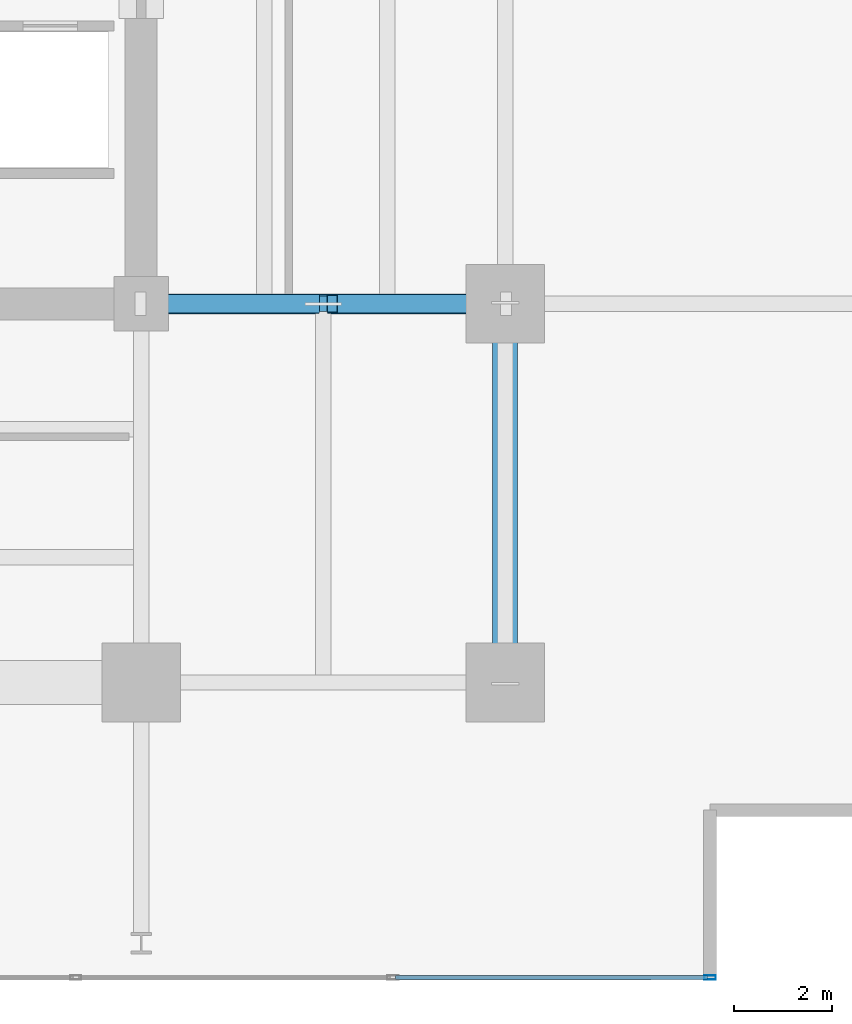
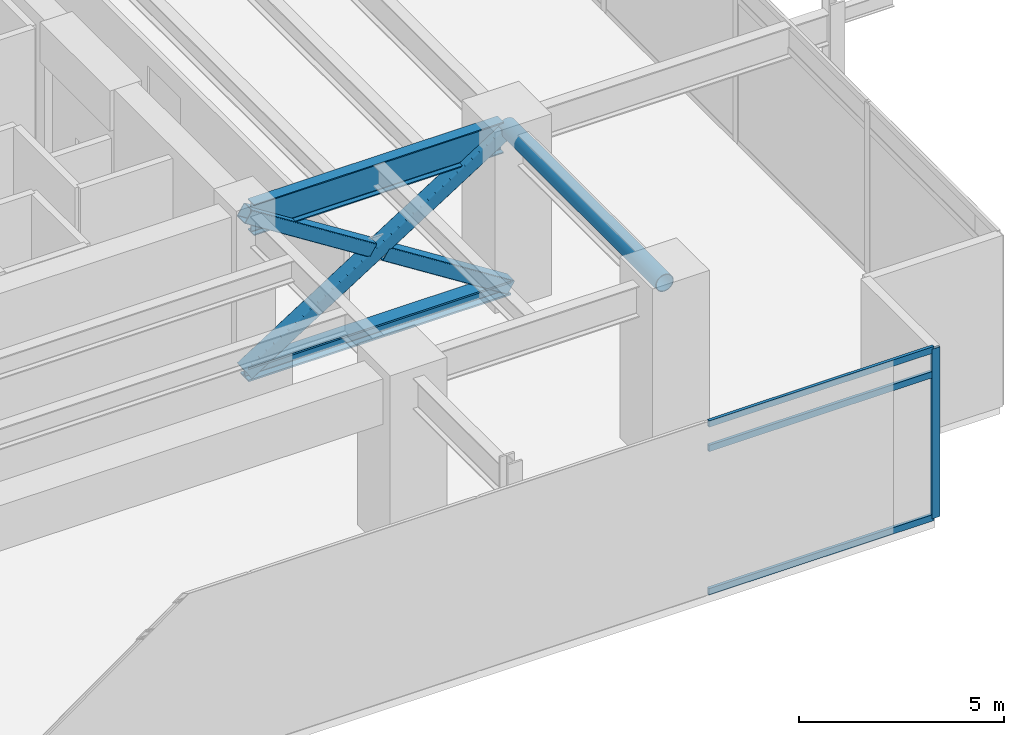
# One storey, part 10 of 26: 9 members, 1 beam, 1 element without a shape of its own.
"""IFC4 building model written with IfcOpenShell, lengths in metres."""

from ifc_helpers import new_model, si_unit, direction, frame, origin, origin_2d, place, context, subcontext, project, spatial, hollow_rectangle, hollow_circle, i_section, extrude, material, material_profile, profile_set, type_object, element, aggregate, save


model = new_model("IFC4")

# Units and contexts
model_context = context("Model", 3, precision=1e-05, world=origin(), true_north=direction((0.0, 1.0)))
body_context = subcontext(model_context, "Body", "Model", "MODEL_VIEW")
ifc_project = project(units=[si_unit("LENGTHUNIT", "METRE"), si_unit("AREAUNIT", "SQUARE_METRE"), si_unit("VOLUMEUNIT", "CUBIC_METRE"), si_unit("PLANEANGLEUNIT", "RADIAN"), si_unit("MASSUNIT", "GRAM", prefix="KILO")], contexts=[model_context])

# Site, building, storey
site_placement = place(None, origin())
site = spatial("IfcSite", under=ifc_project, at=site_placement, CompositionType="ELEMENT")
building_placement = place(site_placement, origin())
building = spatial("IfcBuilding", under=site, at=building_placement, Name="Kovane Verandah Tower", CompositionType="ELEMENT")
storey_placement = place(building_placement, frame((0.0, 0.0, 113.0)))
storey = spatial("IfcBuildingStorey", under=building, at=storey_placement, Name="L26", CompositionType="ELEMENT", Elevation=113.0)

# Beam
ifc_material_1 = material(Name="Steel S460", Category="steel")
ifc_material_profile_1 = material_profile(ifc_material_1, i_section(OverallWidth=0.3076171875, OverallDepth=0.926513671875, WebThickness=0.01953125, FlangeThickness=0.031982421875, FilletRadius=0.01904296875, at=origin_2d()), Name="UB914x305x289")
ifc_profile_set_1 = profile_set([ifc_material_profile_1], Name="Steel S460")
beam_type = type_object("IfcBeamType", Name="BM-UB914x289", PredefinedType="BEAM", material=ifc_profile_set_1)
beam_placement = place(storey_placement, frame((51.179931640625, 18.5, 4.63671875), z_axis=(1.0, 0.0, 0.0), x_axis=(0.0, 1.0, 0.0)))
element("IfcBeam", 1, at=beam_placement, inside=storey, type_object=beam_type, Name="L26 Primary Tower Girder G-E1", PredefinedType="BEAM", context=body_context, shape_type="SweptSolid", body=[
    extrude(i_section(OverallWidth=0.3076171875, OverallDepth=0.926513671875, WebThickness=0.01953125, FlangeThickness=0.031982421875, FilletRadius=0.01904296875, at=origin_2d()), origin(), (0.0, 0.0, 1.0), 7.0400390625),
])

# Curtain wall, members
ifc_material_2 = material(Name="Champagne Anodised Aluminium Frame with Low-E Clear Laminated Glass", Category="aluminium")
curtain_wall_type = type_object("IfcCurtainWallType", Name="CW-SYS-02-LOW", PredefinedType="NOTDEFINED", material=ifc_material_2)
curtain_wall_placement = place(storey_placement, origin())
curtain_wall = element("IfcCurtainWall", 2, at=curtain_wall_placement, inside=storey, type_object=curtain_wall_type, Name="L26 S Unitised Curtain Wall", PredefinedType="NOTDEFINED")
ifc_material_3 = material(Name="Champagne Anodised Aluminium 6063-T6", Category="aluminium")
ifc_material_profile_2 = material_profile(ifc_material_3, hollow_rectangle(XDim=0.0849609375, YDim=0.22998046875, WallThickness=0.00390625, at=origin_2d()), Name="AL85x230x4")
ifc_profile_set_2 = profile_set([ifc_material_profile_2], Name="Champagne Anodised Aluminium 6063-T6")
member_type_1 = type_object("IfcMemberType", Name="CW-MUL-85x230", PredefinedType="MULLION", material=ifc_profile_set_2)
member_1_placement = place(storey_placement, frame((62.564208984375, 4.80517578125, 0.02001953125), z_axis=(0.0, 0.0, 1.0), x_axis=(0.0, -1.0, 0.0)))
member_1 = element("IfcMember", 3, at=member_1_placement, type_object=member_type_1, Name="L26 S Unitised Curtain Wall Mullion 8", PredefinedType="MULLION", context=body_context, shape_type="SweptSolid", body=[
    extrude(hollow_rectangle(XDim=0.0849609375, YDim=0.22998046875, WallThickness=0.00390625, at=origin_2d()), origin(), (0.0, 0.0, 1.0), 5.06005859375),
])
ifc_material_profile_3 = material_profile(ifc_material_3, hollow_rectangle(XDim=0.0849609375, YDim=0.18994140625, WallThickness=0.00390625, at=origin_2d()), Name="AL85x190x4")
ifc_profile_set_3 = profile_set([ifc_material_profile_3], Name="Champagne Anodised Aluminium 6063-T6")
member_type_2 = type_object("IfcMemberType", Name="CW-TRN-85x190", PredefinedType="USERDEFINED", material=ifc_profile_set_3)
member_2_placement = place(storey_placement, frame((56.167236328125, 4.80517578125, 0.050048828125), z_axis=(1.0, 0.0, 0.0), x_axis=(0.0, 1.0, 0.0)))
member_2 = element("IfcMember", 4, at=member_2_placement, type_object=member_type_2, Name="L26 S Unitised Curtain Wall Transom TB Bay 7", ObjectType="TRANSOM", PredefinedType="USERDEFINED", context=body_context, shape_type="SweptSolid", body=[
    extrude(hollow_rectangle(XDim=0.0849609375, YDim=0.18994140625, WallThickness=0.00390625, at=origin_2d()), origin(), (0.0, 0.0, 1.0), 6.346923828125),
])
member_3_placement = place(storey_placement, frame((56.167236328125, 4.80517578125, 4.320068359375), z_axis=(1.0, 0.0, 0.0), x_axis=(0.0, 1.0, 0.0)))
member_3 = element("IfcMember", 5, at=member_3_placement, type_object=member_type_2, Name="L26 S Unitised Curtain Wall Transom TM Bay 7", ObjectType="TRANSOM", PredefinedType="USERDEFINED", context=body_context, shape_type="SweptSolid", body=[
    extrude(hollow_rectangle(XDim=0.0849609375, YDim=0.18994140625, WallThickness=0.00390625, at=origin_2d()), origin(), (0.0, 0.0, 1.0), 6.346923828125),
])
member_4_placement = place(storey_placement, frame((56.167236328125, 4.80517578125, 5.050048828125), z_axis=(1.0, 0.0, 0.0), x_axis=(0.0, 1.0, 0.0)))
member_4 = element("IfcMember", 6, at=member_4_placement, type_object=member_type_2, Name="L26 S Unitised Curtain Wall Transom TT Bay 7", ObjectType="TRANSOM", PredefinedType="USERDEFINED", context=body_context, shape_type="SweptSolid", body=[
    extrude(hollow_rectangle(XDim=0.0849609375, YDim=0.18994140625, WallThickness=0.00390625, at=origin_2d()), origin(), (0.0, 0.0, 1.0), 6.346923828125),
])
aggregate(curtain_wall, [member_1, member_2, member_3, member_4])

# Members
ifc_material_profile_4 = material_profile(ifc_material_1, hollow_circle(Radius=0.25390625, WallThickness=0.02001953125, at=origin_2d()), Name="CHS508x20")
ifc_profile_set_4 = profile_set([ifc_material_profile_4], Name="Steel S460")
member_type_3 = type_object("IfcMemberType", Name="MEM-BR-CHS508", PredefinedType="BRACE", material=ifc_profile_set_4)
member_5_placement = place(storey_placement, frame((58.39990234375, 10.800048828125, 4.820068359375), z_axis=(0.0, 1.0, 0.0), x_axis=(-1.0, 0.0, 0.0)))
element("IfcMember", 7, at=member_5_placement, inside=storey, type_object=member_type_3, Name="L26 Belt-Truss Ring Chord BE1", PredefinedType="BRACE", context=body_context, shape_type="SweptSolid", body=[
    extrude(hollow_circle(Radius=0.25390625, WallThickness=0.02001953125, at=origin_2d()), origin(), (0.0, 0.0, 1.0), 7.699951171875),
])
ifc_material_profile_5 = material_profile(ifc_material_1, hollow_rectangle(XDim=0.39990234375, YDim=0.39990234375, WallThickness=0.02001953125, InnerFilletRadius=0.02001953125, OuterFilletRadius=0.0400390625, at=origin_2d()), Name="SHS400x400x20")
ifc_profile_set_5 = profile_set([ifc_material_profile_5], Name="Steel S460")
member_type_4 = type_object("IfcMemberType", Name="MEM-BR-SHS400", PredefinedType="BRACE", material=ifc_profile_set_5)
member_6_placement = place(storey_placement, frame((51.0, 18.5, 0.1201171875), z_axis=(0.844130190712, 0.0, 0.536138248149), x_axis=(0.0, 1.0, 0.0)))
element("IfcMember", 8, at=member_6_placement, inside=storey, type_object=member_type_4, Name="L26 Outrigger Continuous Diagonal OE1", PredefinedType="BRACE", context=body_context, shape_type="SweptSolid", body=[
    extrude(hollow_rectangle(XDim=0.39990234375, YDim=0.39990234375, WallThickness=0.02001953125, InnerFilletRadius=0.02001953125, OuterFilletRadius=0.0400390625, at=origin_2d()), origin(), (0.0, 0.0, 1.0), 8.766357421875),
])
member_7_placement = place(storey_placement, frame((58.39990234375, 18.5, 0.1201171875), z_axis=(-0.844134458602, 0.0, 0.536131528452), x_axis=(0.0, -1.0, 0.0)))
element("IfcMember", 9, at=member_7_placement, inside=storey, type_object=member_type_4, Name="L26 Outrigger Split Diagonal Lower OE1", PredefinedType="BRACE", context=body_context, shape_type="SweptSolid", body=[
    extrude(hollow_rectangle(XDim=0.39990234375, YDim=0.39990234375, WallThickness=0.02001953125, InnerFilletRadius=0.02001953125, OuterFilletRadius=0.0400390625, at=origin_2d()), origin(), (0.0, 0.0, 1.0), 4.1630859375),
])
member_8_placement = place(storey_placement, frame((54.514404296875, 18.5, 2.587890625), z_axis=(-0.844124775214, 0.0, 0.536146774559), x_axis=(0.0, -1.0, 0.0)))
element("IfcMember", 10, at=member_8_placement, inside=storey, type_object=member_type_4, Name="L26 Outrigger Split Diagonal Upper OE1", PredefinedType="BRACE", context=body_context, shape_type="SweptSolid", body=[
    extrude(hollow_rectangle(XDim=0.39990234375, YDim=0.39990234375, WallThickness=0.02001953125, InnerFilletRadius=0.02001953125, OuterFilletRadius=0.0400390625, at=origin_2d()), origin(), (0.0, 0.0, 1.0), 4.163330078125),
])
ifc_material_profile_6 = material_profile(ifc_material_1, i_section(OverallWidth=0.406982421875, OverallDepth=0.4189453125, WebThickness=0.030517578125, FlangeThickness=0.04931640625, FilletRadius=0.01513671875, at=origin_2d()), Name="UC356x406x393")
ifc_profile_set_6 = profile_set([ifc_material_profile_6], Name="Steel S460")
member_type_5 = type_object("IfcMemberType", Name="MEM-CHORD-UC393", PredefinedType="CHORD", material=ifc_profile_set_6)
member_9_placement = place(storey_placement, frame((51.0, 18.5, 0.1201171875), z_axis=(1.0, 0.0, 0.0), x_axis=(0.0, 1.0, 0.0)))
element("IfcMember", 11, at=member_9_placement, inside=storey, type_object=member_type_5, Name="L26 Outrigger Bottom Chord OE1", PredefinedType="CHORD", context=body_context, shape_type="SweptSolid", body=[
    extrude(i_section(OverallWidth=0.406982421875, OverallDepth=0.4189453125, WebThickness=0.030517578125, FlangeThickness=0.04931640625, FilletRadius=0.01513671875, at=origin_2d()), origin(), (0.0, 0.0, 1.0), 7.39990234375),
])

save(model, "model.ifc")
